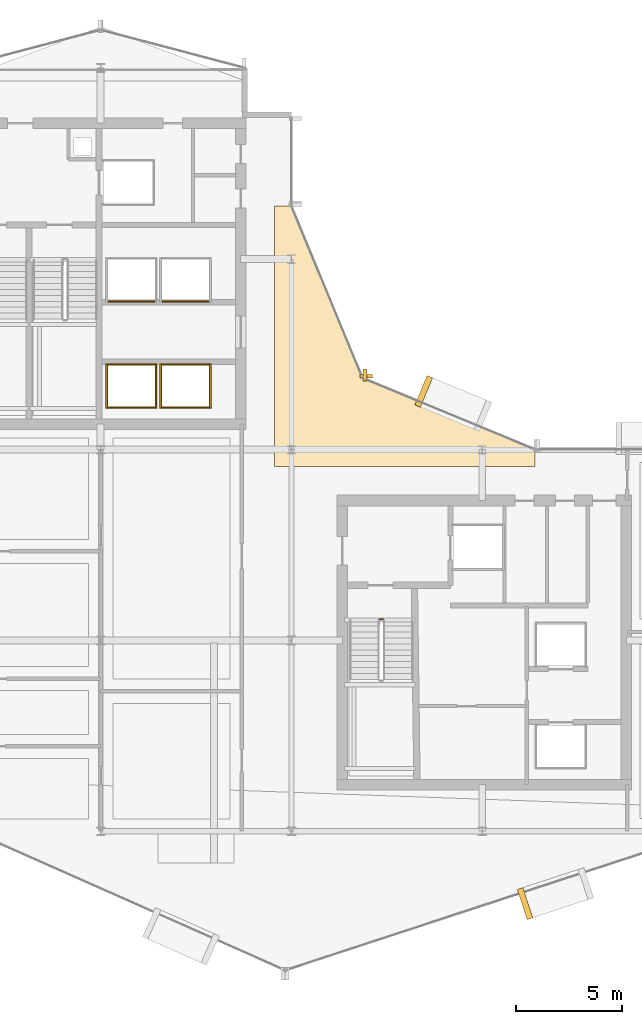
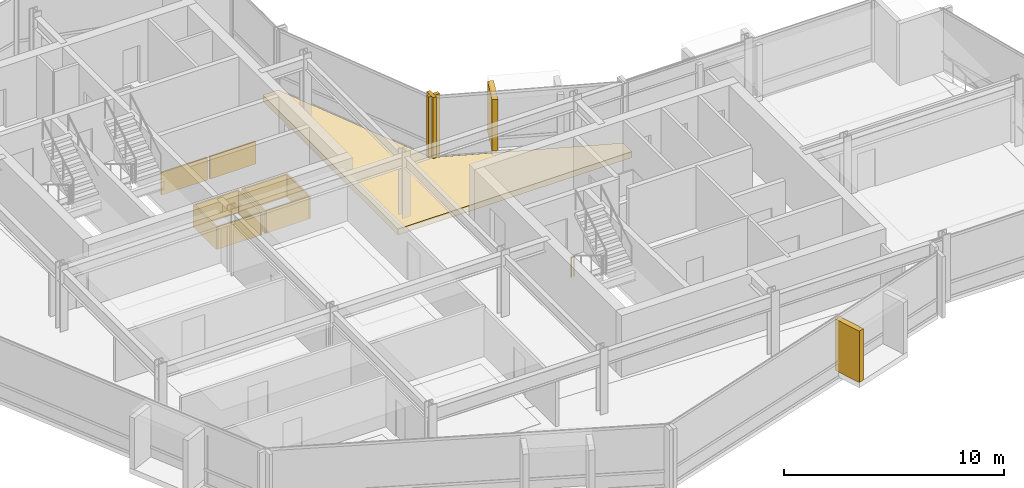
# One storey, part 25 of 27: 15 coverings, 1 railing.
"""IFC4 building model written with IfcOpenShell, lengths in metres."""

from ifc_helpers import new_model, si_unit, direction, frame, origin, origin_2d, place, context, subcontext, project, spatial, polyline, rectangle, circle, outline, extrude, material, layer, layer_set, type_object, element, save


model = new_model("IFC4")

# Units and contexts
model_context = context("Model", 3, precision=1e-05, world=origin(), true_north=direction((0.0, 1.0)))
body_context = subcontext(model_context, "Body", "Model", "MODEL_VIEW")
ifc_project = project(units=[si_unit("LENGTHUNIT", "METRE"), si_unit("AREAUNIT", "SQUARE_METRE"), si_unit("VOLUMEUNIT", "CUBIC_METRE"), si_unit("PLANEANGLEUNIT", "RADIAN"), si_unit("MASSUNIT", "GRAM", prefix="KILO")], contexts=[model_context])

# Site, building, storey
site_placement = place(None, origin())
site = spatial("IfcSite", under=ifc_project, at=site_placement, CompositionType="ELEMENT")
building_placement = place(site_placement, origin())
building = spatial("IfcBuilding", under=site, at=building_placement, Name="Solvaryn Broadcast Tower", CompositionType="ELEMENT")
storey_placement = place(building_placement, frame((0.0, 0.0, 185.300048828125)))
storey = spatial("IfcBuildingStorey", under=building, at=storey_placement, Name="L46", CompositionType="ELEMENT", Elevation=185.300048828125)

# Coverings
ifc_material_1 = material(Name="Fire-Rated Gypsum Shaftwall Liner", Category="concrete")
ifc_layer_1 = layer(ifc_material_1, 0.080078125)
ifc_layer_set_1 = layer_set([ifc_layer_1], Name="CV-SHAFT-LINER")
covering_type_1 = type_object("IfcCoveringType", Name="CV-SHAFT-LINER", PredefinedType="CLADDING", material=ifc_layer_set_1)
for number, where, z_axis, x_axis, name in (
    (1, (19.449951171875, 31.014892578125, 0.0), (0.0, 0.0, 1.0), (1.0, 0.0, 0.0), "L46 PH1 Hoistway Shaft Liner North"),
    (2, (19.449951171875, 28.985107421875, 0.0), (0.0, 0.0, 1.0), (1.0, 0.0, 0.0), "L46 PH1 Hoistway Shaft Liner South"),
):
    element("IfcCovering", number, at=place(storey_placement, frame(where, z_axis=z_axis, x_axis=x_axis)), inside=storey, type_object=covering_type_1, Name=name, PredefinedType="CLADDING", context=body_context, shape_type="SweptSolid", body=[
        extrude(rectangle(XDim=2.409912109375, YDim=0.080078125, at=origin_2d()), origin(), (0.0, 0.0, 1.0), 1.25),
    ])
for number, where, z_axis, x_axis, name in (
    (3, (20.614990234375, 30.0, 0.0), (0.0, 0.0, 1.0), (1.0, 0.0, 0.0), "L46 PH1 Hoistway Shaft Liner East"),
    (4, (18.284912109375, 30.0, 0.0), (0.0, 0.0, 1.0), (1.0, 0.0, 0.0), "L46 PH1 Hoistway Shaft Liner West"),
):
    element("IfcCovering", number, at=place(storey_placement, frame(where, z_axis=z_axis, x_axis=x_axis)), inside=storey, type_object=covering_type_1, Name=name, PredefinedType="CLADDING", context=body_context, shape_type="SweptSolid", body=[
        extrude(rectangle(XDim=0.080078125, YDim=2.110107421875, at=origin_2d()), origin(), (0.0, 0.0, 1.0), 1.25),
    ])
for number, where, z_axis, x_axis, name in (
    (5, (22.0, 31.014892578125, 0.0), (0.0, 0.0, 1.0), (1.0, 0.0, 0.0), "L46 PH2 Hoistway Shaft Liner North"),
    (6, (22.0, 28.985107421875, 0.0), (0.0, 0.0, 1.0), (1.0, 0.0, 0.0), "L46 PH2 Hoistway Shaft Liner South"),
):
    element("IfcCovering", number, at=place(storey_placement, frame(where, z_axis=z_axis, x_axis=x_axis)), inside=storey, type_object=covering_type_1, Name=name, PredefinedType="CLADDING", context=body_context, shape_type="SweptSolid", body=[
        extrude(rectangle(XDim=2.409912109375, YDim=0.080078125, at=origin_2d()), origin(), (0.0, 0.0, 1.0), 1.25),
    ])
for number, where, z_axis, x_axis, name in (
    (7, (23.1650390625, 30.0, 0.0), (0.0, 0.0, 1.0), (1.0, 0.0, 0.0), "L46 PH2 Hoistway Shaft Liner East"),
    (8, (20.8349609375, 30.0, 0.0), (0.0, 0.0, 1.0), (1.0, 0.0, 0.0), "L46 PH2 Hoistway Shaft Liner West"),
):
    element("IfcCovering", number, at=place(storey_placement, frame(where, z_axis=z_axis, x_axis=x_axis)), inside=storey, type_object=covering_type_1, Name=name, PredefinedType="CLADDING", context=body_context, shape_type="SweptSolid", body=[
        extrude(rectangle(XDim=0.080078125, YDim=2.110107421875, at=origin_2d()), origin(), (0.0, 0.0, 1.0), 1.25),
    ])
for number, where, z_axis, x_axis, name in (
    (9, (19.449951171875, 33.985107421875, 0.0), (0.0, 0.0, 1.0), (1.0, 0.0, 0.0), "L46 PH3 Hoistway Shaft Liner South"),
    (10, (22.0, 33.985107421875, 0.0), (0.0, 0.0, 1.0), (1.0, 0.0, 0.0), "L46 PH4 Hoistway Shaft Liner South"),
):
    element("IfcCovering", number, at=place(storey_placement, frame(where, z_axis=z_axis, x_axis=x_axis)), inside=storey, type_object=covering_type_1, Name=name, PredefinedType="CLADDING", context=body_context, shape_type="SweptSolid", body=[
        extrude(rectangle(XDim=2.409912109375, YDim=0.080078125, at=origin_2d()), origin(), (0.0, 0.0, 1.0), 1.25),
    ])
ifc_material_2 = material(Name="Glazed Architectural Terracotta Rainscreen Cladding", Category="masonry")
ifc_layer_2 = layer(ifc_material_2, 0.280029296875)
ifc_layer_set_2 = layer_set([ifc_layer_2], Name="CV-TC-CLAD")
covering_type_2 = type_object("IfcCoveringType", Name="CV-TC-CLAD", PredefinedType="CLADDING", material=ifc_layer_set_2)
for number, where, z_axis, x_axis, name in (
    (11, (38.01904296875, 5.584716796875, 0.27978515625), (0.0, 0.0, 1.0), (0.950244253402, 0.311505792684, 0.0), "L46 Projecting Stone Window Box Cheek 4-1"),
    (12, (33.241943359375, 29.751953125, 0.27978515625), (0.0, 0.0, 1.0), (-0.923879532511, 0.382683432365, 0.0), "L46 Projecting Stone Window Box Cheek 5-2"),
):
    element("IfcCovering", number, at=place(storey_placement, frame(where, z_axis=z_axis, x_axis=x_axis)), inside=storey, type_object=covering_type_2, Name=name, PredefinedType="CLADDING", context=body_context, shape_type="SweptSolid", body=[
        extrude(rectangle(XDim=0.280029296875, YDim=1.5, at=origin_2d()), origin(), (0.0, 0.0, 1.0), 2.860107421875),
    ])
ifc_material_3 = material(Name="Extruded Architectural Terracotta Fin", Category="masonry")
ifc_layer_3 = layer(ifc_material_3, 0.179931640625)
ifc_layer_set_3 = layer_set([ifc_layer_3], Name="CV-TC-FIN")
covering_type_3 = type_object("IfcCoveringType", Name="CV-TC-FIN", PredefinedType="USERDEFINED", material=ifc_layer_set_3)
covering_1_placement = place(storey_placement, frame((30.464599609375, 30.52294921875, 0.0), z_axis=(0.0, 0.0, 1.0), x_axis=(1.0, 0.0, 0.0)))
element("IfcCovering", 13, at=covering_1_placement, inside=storey, type_object=covering_type_3, Name="L46 Terracotta Vertical Fin FIN-L46-CN1-M01", ObjectType="FIN", PredefinedType="USERDEFINED", context=body_context, shape_type="SweptSolid", body=[
    extrude(rectangle(XDim=0.179931640625, YDim=0.580078125, at=origin_2d()), origin(), (0.0, 0.0, 1.0), 3.419921875),
])
covering_2_placement = place(storey_placement, frame((30.52294921875, 30.464599609375, 0.0), z_axis=(0.0, 0.0, 1.0), x_axis=(1.0, 0.0, 0.0)))
element("IfcCovering", 14, at=covering_2_placement, inside=storey, type_object=covering_type_3, Name="L46 Terracotta Vertical Fin FIN-L46-CN2-M00", ObjectType="FIN", PredefinedType="USERDEFINED", context=body_context, shape_type="SweptSolid", body=[
    extrude(rectangle(XDim=0.580078125, YDim=0.179931640625, at=origin_2d()), origin(), (0.0, 0.0, 1.0), 3.419921875),
])
ifc_material_4 = material(Name="Sculpted Architectural Terracotta Wave Fascia", Category="masonry")
ifc_layer_4 = layer(ifc_material_4, 0.340087890625)
ifc_layer_set_4 = layer_set([ifc_layer_4], Name="CV-WAVE-TRAY")
covering_type_4 = type_object("IfcCoveringType", Name="CV-WAVE-TRAY", PredefinedType="CLADDING", material=ifc_layer_set_4)
covering_3_placement = place(storey_placement, frame((0.0, 0.0, -0.300048828125)))
element("IfcCovering", 15, at=covering_3_placement, inside=storey, type_object=covering_type_4, Name="L46 Concave Canyon Floor Apron", PredefinedType="CLADDING", context=body_context, shape_type="SweptSolid", body=[
    extrude(outline(polyline([(26.199951171875, 26.199951171875), (38.5, 26.199951171875), (38.5, 27.0), (30.367919921875, 30.367919921875), (27.0, 38.5), (26.199951171875, 38.5), (26.199951171875, 26.199951171875)])), origin(), (0.0, 0.0, 1.0), 0.330078125),
])

# Railing
ifc_material_5 = material(Name="Painted Steel Stair Well Guard", Category="steel")
railing_type = type_object("IfcRailingType", Name="RL-STAIR-GUARD", PredefinedType="BALUSTRADE", material=ifc_material_5)
railing_placement = place(storey_placement, frame((31.159912109375, 19.010009765625, 0.0)))
element("IfcRailing", 16, at=railing_placement, inside=storey, type_object=railing_type, Name="L46 ST3 stair guard 4", PredefinedType="BALUSTRADE", context=body_context, shape_type="SweptSolid", body=[
    extrude(circle(Radius=0.02392578125, at=origin_2d()), frame((0.0, 0.0, 1.076171875), z_axis=(1.0, 0.0, 0.0), x_axis=(0.0, 1.0, 0.0)), (0.0, 0.0, 1.0), 0.150146484375),
    extrude(circle(Radius=0.02099609375, at=origin_2d()), origin(), (0.0, 0.0, 1.0), 1.052001953125),
    extrude(circle(Radius=0.02099609375, at=origin_2d()), frame((0.150146484375, 0.0, 0.0)), (0.0, 0.0, 1.0), 1.052001953125),
])

save(model, "model.ifc")
